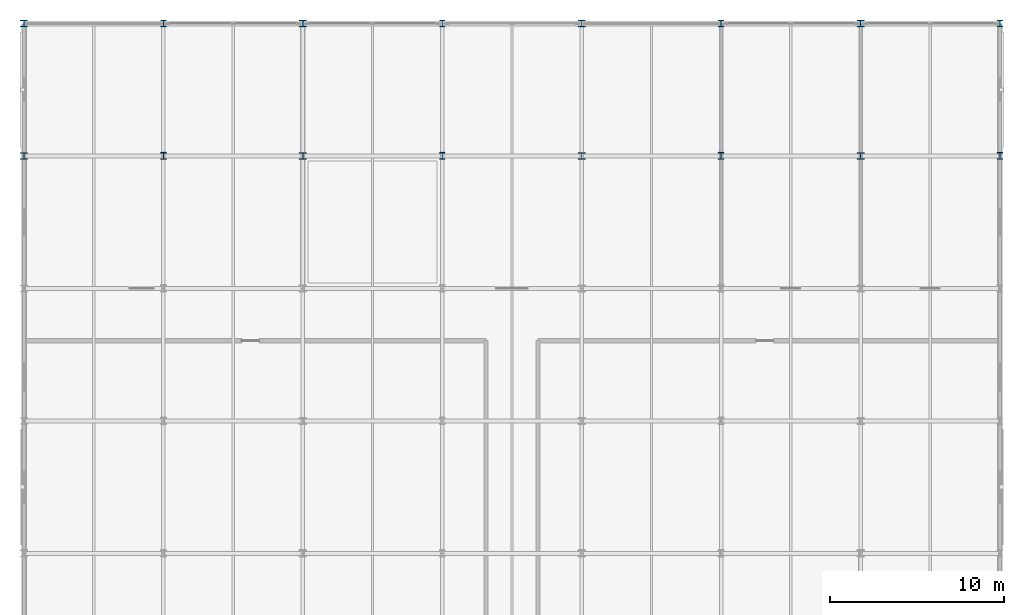
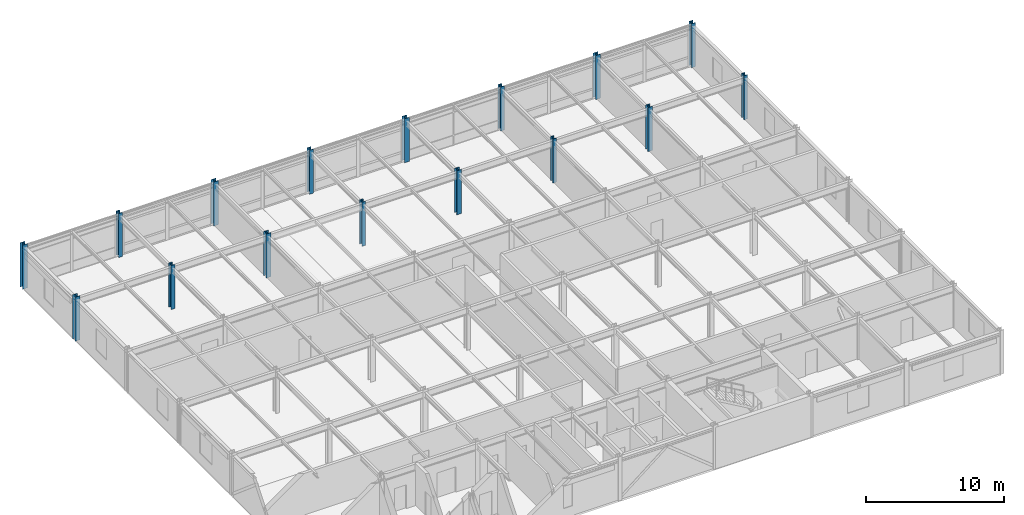
# One storey, part 3 of 14: 16 columns.
"""IFC4 building model written with IfcOpenShell, lengths in metres."""

from ifc_helpers import new_model, si_unit, direction, frame, origin, origin_2d, place, context, subcontext, project, spatial, i_section, extrude, material, material_profile, profile_set, type_object, element, save


model = new_model("IFC4")

# Units and contexts
model_context = context("Model", 3, precision=1e-05, world=origin(), true_north=direction((0.0, 1.0)))
body_context = subcontext(model_context, "Body", "Model", "MODEL_VIEW")
ifc_project = project(units=[si_unit("LENGTHUNIT", "METRE"), si_unit("AREAUNIT", "SQUARE_METRE"), si_unit("VOLUMEUNIT", "CUBIC_METRE"), si_unit("PLANEANGLEUNIT", "RADIAN"), si_unit("MASSUNIT", "GRAM", prefix="KILO")], contexts=[model_context])

# Site, building, storey
site_placement = place(None, origin())
site = spatial("IfcSite", under=ifc_project, at=site_placement, CompositionType="ELEMENT")
building_placement = place(site_placement, origin())
building = spatial("IfcBuilding", under=site, at=building_placement, Name="Shalkamar Park Central Library", CompositionType="ELEMENT")
storey_placement = place(building_placement, frame((0.0, 0.0, 32.10009765625)))
storey = spatial("IfcBuildingStorey", under=building, at=storey_placement, Name="L08", CompositionType="ELEMENT", Elevation=32.10009765625)

# Columns
ifc_material = material(Name="Steel S355", Category="steel")
ifc_material_profile_1 = material_profile(ifc_material, i_section(OverallWidth=0.39794921875, OverallDepth=0.386962890625, WebThickness=0.02099609375, FlangeThickness=0.033203125, FilletRadius=0.014892578125, at=origin_2d()), Name="HD 400x262")
ifc_profile_set_1 = profile_set([ifc_material_profile_1], Name="Steel S355")
column_type_1 = type_object("IfcColumnType", Name="Column Steel HD400x262", PredefinedType="COLUMN", material=ifc_profile_set_1)
for number, where, z_axis, x_axis, name in (
    (1, (165.0, 285.60009765625, 0.0), (0.0, 0.0, 1.0), (1.0, 0.0, 0.0), "Column 07/G (L08)"),
    (2, (165.0, 293.199951171875, 0.0), (0.0, 0.0, 1.0), (1.0, 0.0, 0.0), "Column 07/H (L08)"),
    (3, (181.0, 285.60009765625, 0.0), (0.0, 0.0, 1.0), (1.0, 0.0, 0.0), "Column 09/G (L08)"),
    (4, (181.0, 293.199951171875, 0.0), (0.0, 0.0, 1.0), (1.0, 0.0, 0.0), "Column 09/H (L08)"),
    (5, (197.0, 285.60009765625, 0.0), (0.0, 0.0, 1.0), (1.0, 0.0, 0.0), "Column 11/G (L08)"),
    (6, (197.0, 293.199951171875, 0.0), (0.0, 0.0, 1.0), (1.0, 0.0, 0.0), "Column 11/H (L08)"),
    (7, (213.0, 285.60009765625, 0.0), (0.0, 0.0, 1.0), (1.0, 0.0, 0.0), "Column 13/G (L08)"),
    (8, (213.0, 293.199951171875, 0.0), (0.0, 0.0, 1.0), (1.0, 0.0, 0.0), "Column 13/H (L08)"),
):
    element("IfcColumn", number, at=place(storey_placement, frame(where, z_axis=z_axis, x_axis=x_axis)), inside=storey, type_object=column_type_1, Name=name, PredefinedType="COLUMN", context=body_context, shape_type="SweptSolid", body=[
        extrude(i_section(OverallWidth=0.39794921875, OverallDepth=0.386962890625, WebThickness=0.02099609375, FlangeThickness=0.033203125, FilletRadius=0.014892578125, at=origin_2d()), origin(), (0.0, 0.0, 1.0), 3.89990234375),
    ])
ifc_material_profile_2 = material_profile(ifc_material, i_section(OverallWidth=0.30810546875, OverallDepth=0.39501953125, WebThickness=0.02099609375, FlangeThickness=0.0400390625, FilletRadius=0.027099609375, at=origin_2d()), Name="HEM 360")
ifc_profile_set_2 = profile_set([ifc_material_profile_2], Name="Steel S355")
column_type_2 = type_object("IfcColumnType", Name="Column Steel HEM360", PredefinedType="COLUMN", material=ifc_profile_set_2)
for number, where, z_axis, x_axis, name in (
    (9, (173.0, 285.60009765625, 0.0), (0.0, 0.0, 1.0), (1.0, 0.0, 0.0), "Column 08/G (L08)"),
    (10, (173.0, 293.199951171875, 0.0), (0.0, 0.0, 1.0), (1.0, 0.0, 0.0), "Column 08/H (L08)"),
    (11, (189.0, 285.60009765625, 0.0), (0.0, 0.0, 1.0), (1.0, 0.0, 0.0), "Column 10/G (L08)"),
    (12, (189.0, 293.199951171875, 0.0), (0.0, 0.0, 1.0), (1.0, 0.0, 0.0), "Column 10/H (L08)"),
    (13, (205.0, 285.60009765625, 0.0), (0.0, 0.0, 1.0), (1.0, 0.0, 0.0), "Column 12/G (L08)"),
    (14, (205.0, 293.199951171875, 0.0), (0.0, 0.0, 1.0), (1.0, 0.0, 0.0), "Column 12/H (L08)"),
    (15, (221.0, 285.60009765625, 0.0), (0.0, 0.0, 1.0), (1.0, 0.0, 0.0), "Column 14/G (L08)"),
    (16, (221.0, 293.199951171875, 0.0), (0.0, 0.0, 1.0), (1.0, 0.0, 0.0), "Column 14/H (L08)"),
):
    element("IfcColumn", number, at=place(storey_placement, frame(where, z_axis=z_axis, x_axis=x_axis)), inside=storey, type_object=column_type_2, Name=name, PredefinedType="COLUMN", context=body_context, shape_type="SweptSolid", body=[
        extrude(i_section(OverallWidth=0.30810546875, OverallDepth=0.39501953125, WebThickness=0.02099609375, FlangeThickness=0.0400390625, FilletRadius=0.027099609375, at=origin_2d()), origin(), (0.0, 0.0, 1.0), 3.89990234375),
    ])

save(model, "model.ifc")
